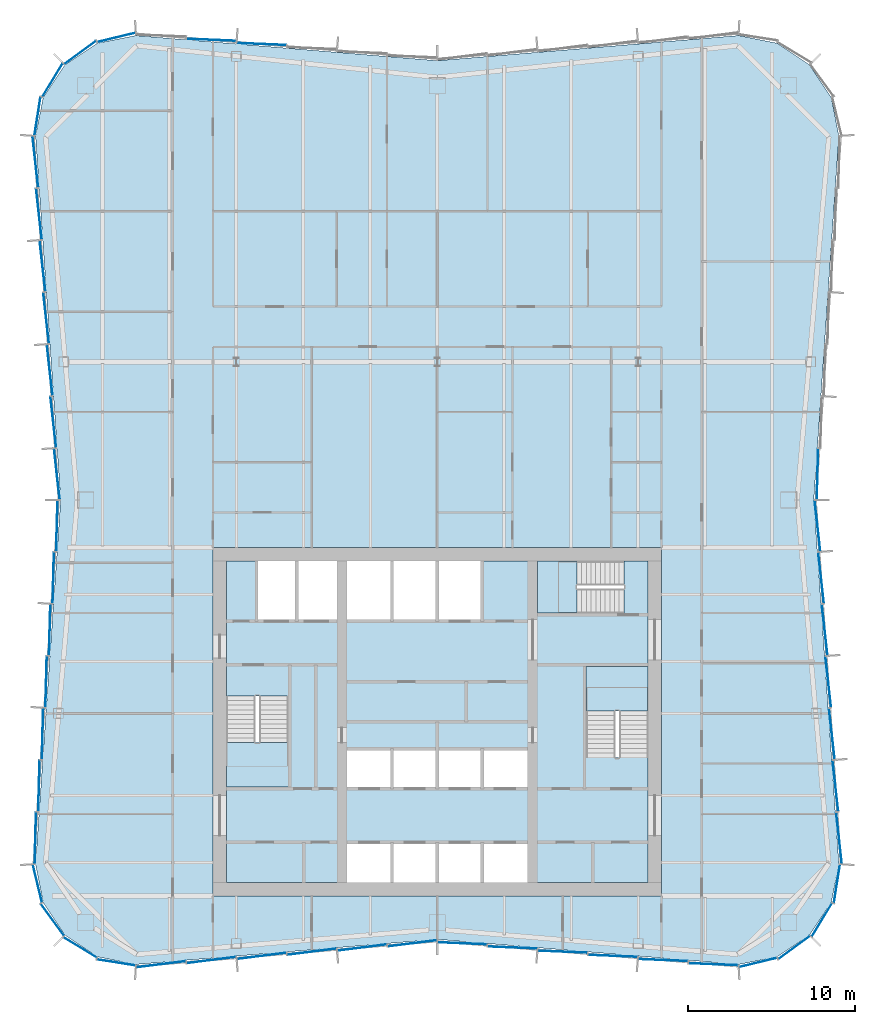
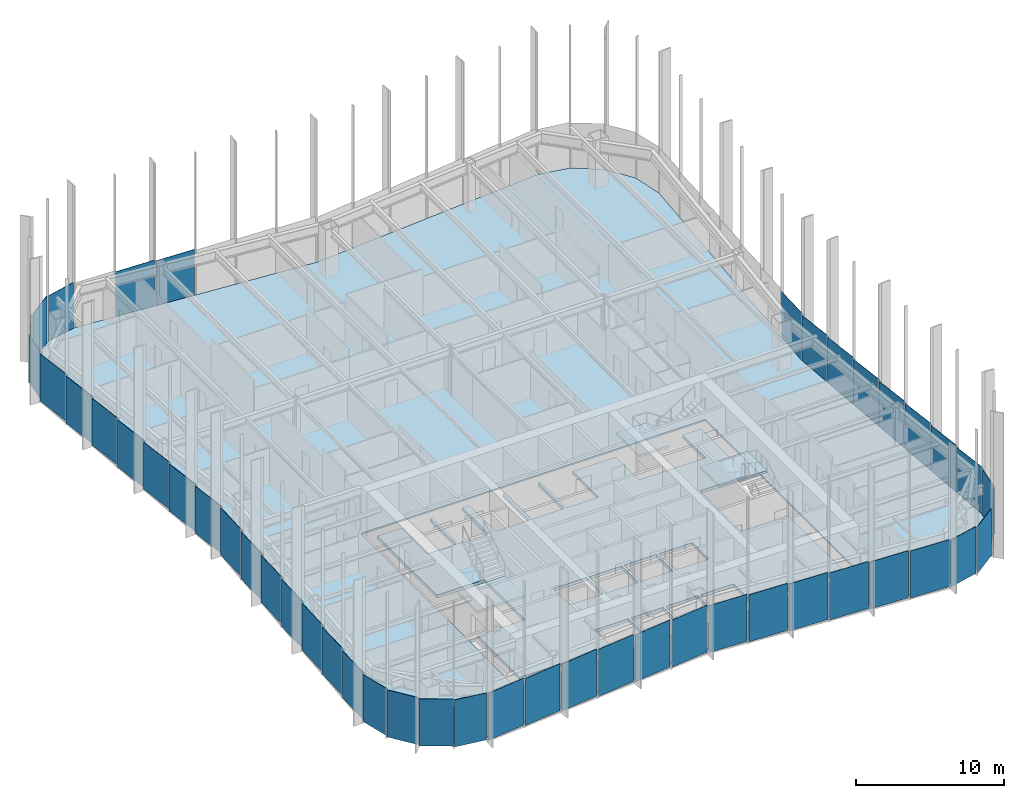
# One storey, part 9 of 15: 48 plates, 5 slabs, 10 elements without a shape of their own.
"""IFC4 building model written with IfcOpenShell, lengths in metres."""

from ifc_helpers import new_model, si_unit, direction, frame, origin, origin_2d, place, context, subcontext, project, spatial, polyline, rectangle, outline, extrude, material, layer, layer_set, type_object, element, aggregate, save


model = new_model("IFC4")

# Units and contexts
model_context = context("Model", 3, precision=1e-05, world=origin(), true_north=direction((0.0, 1.0)))
body_context = subcontext(model_context, "Body", "Model", "MODEL_VIEW")
ifc_project = project(units=[si_unit("LENGTHUNIT", "METRE"), si_unit("AREAUNIT", "SQUARE_METRE"), si_unit("VOLUMEUNIT", "CUBIC_METRE"), si_unit("PLANEANGLEUNIT", "RADIAN"), si_unit("MASSUNIT", "GRAM", prefix="KILO")], contexts=[model_context])

# Site, building, storey
site_placement = place(None, origin())
site = spatial("IfcSite", under=ifc_project, at=site_placement, CompositionType="ELEMENT")
building_placement = place(site_placement, origin())
building = spatial("IfcBuilding", under=site, at=building_placement, Name="Verdant Reach Tower", CompositionType="ELEMENT")
storey_placement = place(building_placement, frame((0.0, 0.0, 262.0)))
storey = spatial("IfcBuildingStorey", under=building, at=storey_placement, Name="L60", CompositionType="ELEMENT", Elevation=262.0)

# Stair, slab
ifc_material_1 = material(Name="Concrete C40/50", Category="concrete")
stair_type = type_object("IfcStairType", Name="CO-STAIR", PredefinedType="HALF_TURN_STAIR", material=ifc_material_1)
stair_1_placement = place(storey_placement, origin())
stair_1 = element("IfcStair", 1, at=stair_1_placement, inside=storey, type_object=stair_type, Name="L60 Exit stair 1", PredefinedType="HALF_TURN_STAIR")
ifc_layer_1 = layer(ifc_material_1, 0.199951171875)
ifc_layer_set_1 = layer_set([ifc_layer_1], Name="CO-STAIR-LANDING")
slab_type_1 = type_object("IfcSlabType", Name="CO-STAIR-LANDING", PredefinedType="LANDING", material=ifc_layer_set_1)
slab_1_placement = place(storey_placement, frame((0.0, 0.0, 1.800048828125)))
slab_1 = element("IfcSlab", 2, at=slab_1_placement, type_object=slab_type_1, Name="ST-1 landing 1", PredefinedType="LANDING", context=body_context, shape_type="SweptSolid", body=[
    extrude(outline(polyline([(-12.60009765625, 26.75), (-12.60009765625, 24.10009765625), (-8.89990234375, 24.10009765625), (-8.89990234375, 26.75), (-12.60009765625, 26.75)])), origin(), (0.0, 0.0, 1.0), 0.199951171875),
])
aggregate(stair_1, [slab_1])

stair_2_placement = place(storey_placement, origin())
stair_2 = element("IfcStair", 3, at=stair_2_placement, inside=storey, type_object=stair_type, Name="L60 Exit stair 2", PredefinedType="HALF_TURN_STAIR")
slab_2_placement = place(storey_placement, frame((0.0, 0.0, 1.800048828125)))
slab_2 = element("IfcSlab", 4, at=slab_2_placement, type_object=slab_type_1, Name="ST-2 landing 1", PredefinedType="LANDING", context=body_context, shape_type="SweptSolid", body=[
    extrude(outline(polyline([(12.60009765625, 28.64990234375), (12.60009765625, 31.300048828125), (8.89990234375, 31.300048828125), (8.89990234375, 28.64990234375), (12.60009765625, 28.64990234375)])), origin(), (0.0, 0.0, 1.0), 0.199951171875),
])
aggregate(stair_2, [slab_2])

stair_3_placement = place(storey_placement, origin())
stair_3 = element("IfcStair", 5, at=stair_3_placement, inside=storey, type_object=stair_type, Name="L60 Exit stair 3", PredefinedType="HALF_TURN_STAIR")
slab_3_placement = place(storey_placement, frame((0.0, 0.0, 1.800048828125)))
slab_3 = element("IfcSlab", 6, at=slab_3_placement, type_object=slab_type_1, Name="ST-3 landing 1", PredefinedType="LANDING", context=body_context, shape_type="SweptSolid", body=[
    extrude(outline(polyline([(8.35009765625, 37.60009765625), (6.0, 37.60009765625), (6.0, 34.5), (8.35009765625, 34.5), (8.35009765625, 37.60009765625)])), origin(), (0.0, 0.0, 1.0), 0.199951171875),
])
aggregate(stair_3, [slab_3])

# Curtain wall, plate
ifc_material_2 = material(Name="Anodised aluminium", Category="aluminium")
curtain_wall_type = type_object("IfcCurtainWallType", Name="EN-CW SYSTEM Z4", PredefinedType="NOTDEFINED", material=ifc_material_2)
curtain_wall_1_placement = place(storey_placement, origin())
curtain_wall_1 = element("IfcCurtainWall", 7, at=curtain_wall_1_placement, inside=storey, type_object=curtain_wall_type, Name="Curtain wall south-east corner, L60", PredefinedType="NOTDEFINED")
ifc_material_3 = material(Name="Tinted glass with champagne spandrel", Category="glass")
ifc_layer_2 = layer(ifc_material_3, 0.031982421875)
ifc_layer_set_2 = layer_set([ifc_layer_2], Name="EN-PANEL CHAMPAGNE")
plate_type_1 = type_object("IfcPlateType", Name="EN-PANEL CHAMPAGNE", PredefinedType="CURTAIN_PANEL", material=ifc_layer_set_2)
plate_1_placement = place(storey_placement, frame((23.87939453125, 18.326904296875, -0.221923828125), z_axis=(0.0, 0.0, 1.0), x_axis=(0.154324690427, 0.988020187003, 0.0)))
plate_1 = element("IfcPlate", 8, at=plate_1_placement, type_object=plate_type_1, Name="Glass panel south-east corner 4.1, L60", PredefinedType="CURTAIN_PANEL", context=body_context, shape_type="SweptSolid", body=[
    extrude(rectangle(XDim=2.313720703125, YDim=0.031982421875, at=origin_2d()), origin(), (0.0, 0.0, 1.0), 3.8720703125),
])

# Curtain wall, plates
curtain_wall_2_placement = place(storey_placement, origin())
curtain_wall_2 = element("IfcCurtainWall", 9, at=curtain_wall_2_placement, inside=storey, type_object=curtain_wall_type, Name="Curtain wall east, L60", PredefinedType="NOTDEFINED")
plate_2_placement = place(storey_placement, frame((23.790283203125, 24.16845703125, -0.221923828125), z_axis=(0.0, 0.0, 1.0), x_axis=(-0.110518162674, 0.993874104562, 0.0)))
plate_2 = element("IfcPlate", 10, at=plate_2_placement, type_object=plate_type_1, Name="Glass panel east face part 1 2.1, L60", PredefinedType="CURTAIN_PANEL", context=body_context, shape_type="SweptSolid", body=[
    extrude(rectangle(XDim=3.050537109375, YDim=0.031982421875, at=origin_2d()), origin(), (0.0, 0.0, 1.0), 3.8720703125),
])
plate_3_placement = place(storey_placement, frame((23.575927734375, 27.275634765625, -0.221923828125), z_axis=(0.0, 0.0, 1.0), x_axis=(-0.110518162674, 0.993874104562, 0.0)))
plate_3 = element("IfcPlate", 11, at=plate_3_placement, type_object=plate_type_1, Name="Glass panel east face part 1 3.1, L60", PredefinedType="CURTAIN_PANEL", context=body_context, shape_type="SweptSolid", body=[
    extrude(rectangle(XDim=3.050537109375, YDim=0.031982421875, at=origin_2d()), origin(), (0.0, 0.0, 1.0), 3.8720703125),
])
plate_4_placement = place(storey_placement, frame((23.36181640625, 30.3828125, -0.221923828125), z_axis=(0.0, 0.0, 1.0), x_axis=(-0.110518162674, 0.993874104562, 0.0)))
plate_4 = element("IfcPlate", 12, at=plate_4_placement, type_object=plate_type_1, Name="Glass panel east face part 1 4.1, L60", PredefinedType="CURTAIN_PANEL", context=body_context, shape_type="SweptSolid", body=[
    extrude(rectangle(XDim=3.050537109375, YDim=0.031982421875, at=origin_2d()), origin(), (0.0, 0.0, 1.0), 3.8720703125),
])

curtain_wall_3_placement = place(storey_placement, origin())
curtain_wall_3 = element("IfcCurtainWall", 13, at=curtain_wall_3_placement, inside=storey, type_object=curtain_wall_type, Name="Curtain wall north-west corner, L60", PredefinedType="NOTDEFINED")
plate_5_placement = place(storey_placement, frame((-19.172607421875, 68.87939453125, -0.221923828125), z_axis=(0.0, 0.0, 1.0), x_axis=(-0.971652337104, -0.236414330786, 0.0)))
plate_5 = element("IfcPlate", 14, at=plate_5_placement, type_object=plate_type_1, Name="Glass panel north-west corner 1.1, L60", PredefinedType="CURTAIN_PANEL", context=body_context, shape_type="SweptSolid", body=[
    extrude(rectangle(XDim=2.314453125, YDim=0.031982421875, at=origin_2d()), origin(), (0.0, 0.0, 1.0), 3.8720703125),
])
plate_6_placement = place(storey_placement, frame((-21.330322265625, 67.984375, -0.221923828125), z_axis=(0.0, 0.0, 1.0), x_axis=(-0.80745677573, -0.589926737254, 0.0)))
plate_6 = element("IfcPlate", 15, at=plate_6_placement, type_object=plate_type_1, Name="Glass panel north-west corner 2.1, L60", PredefinedType="CURTAIN_PANEL", context=body_context, shape_type="SweptSolid", body=[
    extrude(rectangle(XDim=2.32080078125, YDim=0.031982421875, at=origin_2d()), origin(), (0.0, 0.0, 1.0), 3.8720703125),
])

curtain_wall_4_placement = place(storey_placement, origin())
curtain_wall_4 = element("IfcCurtainWall", 16, at=curtain_wall_4_placement, inside=storey, type_object=curtain_wall_type, Name="Curtain wall west, L60", PredefinedType="NOTDEFINED")
plate_7_placement = place(storey_placement, frame((-22.93310546875, 45.903076171875, -0.221923828125), z_axis=(0.0, 0.0, 1.0), x_axis=(0.110518162674, -0.993874104562, 0.0)))
plate_7 = element("IfcPlate", 17, at=plate_7_placement, type_object=plate_type_1, Name="Glass panel west face part 1 6.1, L60", PredefinedType="CURTAIN_PANEL", context=body_context, shape_type="SweptSolid", body=[
    extrude(rectangle(XDim=3.050537109375, YDim=0.031982421875, at=origin_2d()), origin(), (0.0, 0.0, 1.0), 3.8720703125),
])
plate_8_placement = place(storey_placement, frame((-22.718994140625, 42.7998046875, -0.221923828125), z_axis=(0.0, 0.0, 1.0), x_axis=(0.110603065042, -0.993864659802, 0.0)))
plate_8 = element("IfcPlate", 18, at=plate_8_placement, type_object=plate_type_1, Name="Glass panel west face part 1 7.1, L60", PredefinedType="CURTAIN_PANEL", context=body_context, shape_type="SweptSolid", body=[
    extrude(rectangle(XDim=3.042724609375, YDim=0.031982421875, at=origin_2d()), origin(), (0.0, 0.0, 1.0), 3.8720703125),
])
plate_9_placement = place(storey_placement, frame((-22.718994140625, 39.7001953125, -0.221923828125), z_axis=(0.0, 0.0, 1.0), x_axis=(-0.027050713229, -0.999634062502, 0.0)))
plate_9 = element("IfcPlate", 19, at=plate_9_placement, type_object=plate_type_1, Name="Glass panel west face part 2 1.1, L60", PredefinedType="CURTAIN_PANEL", context=body_context, shape_type="SweptSolid", body=[
    extrude(rectangle(XDim=3.042724609375, YDim=0.031982421875, at=origin_2d()), origin(), (0.0, 0.0, 1.0), 3.8720703125),
])
plate_10_placement = place(storey_placement, frame((-22.93310546875, 36.596923828125, -0.221923828125), z_axis=(0.0, 0.0, 1.0), x_axis=(-0.026965318308, -0.999636369691, 0.0)))
plate_10 = element("IfcPlate", 20, at=plate_10_placement, type_object=plate_type_1, Name="Glass panel west face part 2 2.1, L60", PredefinedType="CURTAIN_PANEL", context=body_context, shape_type="SweptSolid", body=[
    extrude(rectangle(XDim=3.050537109375, YDim=0.031982421875, at=origin_2d()), origin(), (0.0, 0.0, 1.0), 3.8720703125),
])

curtain_wall_5_placement = place(storey_placement, origin())
curtain_wall_5 = element("IfcCurtainWall", 21, at=curtain_wall_5_placement, inside=storey, type_object=curtain_wall_type, Name="Curtain wall south, L60", PredefinedType="NOTDEFINED")
plate_11_placement = place(storey_placement, frame((-7.49072265625, 14.263427734375, -0.221923828125), z_axis=(0.0, 0.0, 1.0), x_axis=(0.992194034542, 0.124703639961, 0.0)))
plate_11 = element("IfcPlate", 22, at=plate_11_placement, type_object=plate_type_1, Name="Glass panel south face part 1 4.1, L60", PredefinedType="CURTAIN_PANEL", context=body_context, shape_type="SweptSolid", body=[
    extrude(rectangle(XDim=2.9462890625, YDim=0.031982421875, at=origin_2d()), origin(), (0.0, 0.0, 1.0), 3.8720703125),
])
plate_12_placement = place(storey_placement, frame((-4.49072265625, 14.513427734375, -0.221923828125), z_axis=(0.0, 0.0, 1.0), x_axis=(0.992194034542, 0.124703639961, 0.0)))
plate_12 = element("IfcPlate", 23, at=plate_12_placement, type_object=plate_type_1, Name="Glass panel south face part 1 5.1, L60", PredefinedType="CURTAIN_PANEL", context=body_context, shape_type="SweptSolid", body=[
    extrude(rectangle(XDim=2.9462890625, YDim=0.031982421875, at=origin_2d()), origin(), (0.0, 0.0, 1.0), 3.8720703125),
])
plate_13_placement = place(storey_placement, frame((13.49072265625, 13.763427734375, -0.221923828125), z_axis=(0.0, 0.0, 1.0), x_axis=(0.999149202059, -0.041241629766, 0.0)))
plate_13 = element("IfcPlate", 24, at=plate_13_placement, type_object=plate_type_1, Name="Glass panel south face part 2 5.1, L60", PredefinedType="CURTAIN_PANEL", context=body_context, shape_type="SweptSolid", body=[
    extrude(rectangle(XDim=2.9462890625, YDim=0.031982421875, at=origin_2d()), origin(), (0.0, 0.0, 1.0), 3.8720703125),
])
plate_14_placement = place(storey_placement, frame((16.49853515625, 13.51318359375, -0.221923828125), z_axis=(0.0, 0.0, 1.0), x_axis=(0.999164016711, -0.040881141246, 0.0)))
plate_14 = element("IfcPlate", 25, at=plate_14_placement, type_object=plate_type_1, Name="Glass panel south face part 2 6.1, L60", PredefinedType="CURTAIN_PANEL", context=body_context, shape_type="SweptSolid", body=[
    extrude(rectangle(XDim=2.9619140625, YDim=0.031982421875, at=origin_2d()), origin(), (0.0, 0.0, 1.0), 3.8720703125),
])

# Plate
ifc_material_4 = material(Name="Tinted glass with copper spandrel", Category="glass")
ifc_layer_3 = layer(ifc_material_4, 0.031982421875)
ifc_layer_set_3 = layer_set([ifc_layer_3], Name="EN-PANEL COPPER")
plate_type_2 = type_object("IfcPlateType", Name="EN-PANEL COPPER", PredefinedType="CURTAIN_PANEL", material=ifc_layer_set_3)
plate_15_placement = place(storey_placement, frame((23.1474609375, 33.48974609375, -0.221923828125), z_axis=(0.0, 0.0, 1.0), x_axis=(-0.110518162674, 0.993874104562, 0.0)))
plate_15 = element("IfcPlate", 26, at=plate_15_placement, type_object=plate_type_2, Name="Glass panel east face part 1 5.1, L60", PredefinedType="CURTAIN_PANEL", context=body_context, shape_type="SweptSolid", body=[
    extrude(rectangle(XDim=3.050537109375, YDim=0.031982421875, at=origin_2d()), origin(), (0.0, 0.0, 1.0), 3.8720703125),
])

plate_16_placement = place(storey_placement, frame((22.93310546875, 36.596923828125, -0.221923828125), z_axis=(0.0, 0.0, 1.0), x_axis=(-0.110518162674, 0.993874104562, 0.0)))
plate_16 = element("IfcPlate", 27, at=plate_16_placement, type_object=plate_type_2, Name="Glass panel east face part 1 6.1, L60", PredefinedType="CURTAIN_PANEL", context=body_context, shape_type="SweptSolid", body=[
    extrude(rectangle(XDim=3.050537109375, YDim=0.031982421875, at=origin_2d()), origin(), (0.0, 0.0, 1.0), 3.8720703125),
])

# Curtain wall, plates
curtain_wall_6_placement = place(storey_placement, origin())
curtain_wall_6 = element("IfcCurtainWall", 28, at=curtain_wall_6_placement, inside=storey, type_object=curtain_wall_type, Name="Curtain wall north, L60", PredefinedType="NOTDEFINED")
plate_17_placement = place(storey_placement, frame((-10.49072265625, 68.486572265625, -0.221923828125), z_axis=(0.0, 0.0, 1.0), x_axis=(-0.999149202059, 0.041241629766, 0.0)))
plate_17 = element("IfcPlate", 29, at=plate_17_placement, type_object=plate_type_2, Name="Glass panel north face part 2 4.1, L60", PredefinedType="CURTAIN_PANEL", context=body_context, shape_type="SweptSolid", body=[
    extrude(rectangle(XDim=2.9462890625, YDim=0.031982421875, at=origin_2d()), origin(), (0.0, 0.0, 1.0), 3.8720703125),
])
plate_18_placement = place(storey_placement, frame((-13.49072265625, 68.736572265625, -0.221923828125), z_axis=(0.0, 0.0, 1.0), x_axis=(-0.999149202059, 0.041241629766, 0.0)))
plate_18 = element("IfcPlate", 30, at=plate_18_placement, type_object=plate_type_2, Name="Glass panel north face part 2 5.1, L60", PredefinedType="CURTAIN_PANEL", context=body_context, shape_type="SweptSolid", body=[
    extrude(rectangle(XDim=2.9462890625, YDim=0.031982421875, at=origin_2d()), origin(), (0.0, 0.0, 1.0), 3.8720703125),
])
aggregate(curtain_wall_6, [plate_17, plate_18])

# Plate
plate_19_placement = place(storey_placement, frame((-22.984375, 66.330322265625, -0.221923828125), z_axis=(0.0, 0.0, 1.0), x_axis=(-0.520291539577, -0.853988708265, 0.0)))
plate_19 = element("IfcPlate", 31, at=plate_19_placement, type_object=plate_type_2, Name="Glass panel north-west corner 3.1, L60", PredefinedType="CURTAIN_PANEL", context=body_context, shape_type="SweptSolid", body=[
    extrude(rectangle(XDim=2.32080078125, YDim=0.031982421875, at=origin_2d()), origin(), (0.0, 0.0, 1.0), 3.8720703125),
])

plate_20_placement = place(storey_placement, frame((-23.87939453125, 64.173095703125, -0.221923828125), z_axis=(0.0, 0.0, 1.0), x_axis=(-0.154324690427, -0.988020187003, 0.0)))
plate_20 = element("IfcPlate", 32, at=plate_20_placement, type_object=plate_type_2, Name="Glass panel north-west corner 4.1, L60", PredefinedType="CURTAIN_PANEL", context=body_context, shape_type="SweptSolid", body=[
    extrude(rectangle(XDim=2.313720703125, YDim=0.031982421875, at=origin_2d()), origin(), (0.0, 0.0, 1.0), 3.8720703125),
])

aggregate(curtain_wall_3, [plate_5, plate_6, plate_19, plate_20])

plate_21_placement = place(storey_placement, frame((-24.004638671875, 61.446044921875, -0.221923828125), z_axis=(0.0, 0.0, 1.0), x_axis=(0.110205903836, -0.993908777886, 0.0)))
plate_21 = element("IfcPlate", 33, at=plate_21_placement, type_object=plate_type_2, Name="Glass panel west face part 1 1.1, L60", PredefinedType="CURTAIN_PANEL", context=body_context, shape_type="SweptSolid", body=[
    extrude(rectangle(XDim=3.0654296875, YDim=0.031982421875, at=origin_2d()), origin(), (0.0, 0.0, 1.0), 3.8720703125),
])

plate_22_placement = place(storey_placement, frame((-23.790283203125, 58.33154296875, -0.221923828125), z_axis=(0.0, 0.0, 1.0), x_axis=(0.110518162674, -0.993874104562, 0.0)))
plate_22 = element("IfcPlate", 34, at=plate_22_placement, type_object=plate_type_2, Name="Glass panel west face part 1 2.1, L60", PredefinedType="CURTAIN_PANEL", context=body_context, shape_type="SweptSolid", body=[
    extrude(rectangle(XDim=3.050537109375, YDim=0.031982421875, at=origin_2d()), origin(), (0.0, 0.0, 1.0), 3.8720703125),
])

plate_23_placement = place(storey_placement, frame((-23.575927734375, 55.224365234375, -0.221923828125), z_axis=(0.0, 0.0, 1.0), x_axis=(0.110518162674, -0.993874104562, 0.0)))
plate_23 = element("IfcPlate", 35, at=plate_23_placement, type_object=plate_type_2, Name="Glass panel west face part 1 3.1, L60", PredefinedType="CURTAIN_PANEL", context=body_context, shape_type="SweptSolid", body=[
    extrude(rectangle(XDim=3.050537109375, YDim=0.031982421875, at=origin_2d()), origin(), (0.0, 0.0, 1.0), 3.8720703125),
])

plate_24_placement = place(storey_placement, frame((-23.1474609375, 33.48974609375, -0.221923828125), z_axis=(0.0, 0.0, 1.0), x_axis=(-0.026965318308, -0.999636369691, 0.0)))
plate_24 = element("IfcPlate", 36, at=plate_24_placement, type_object=plate_type_2, Name="Glass panel west face part 2 3.1, L60", PredefinedType="CURTAIN_PANEL", context=body_context, shape_type="SweptSolid", body=[
    extrude(rectangle(XDim=3.050537109375, YDim=0.031982421875, at=origin_2d()), origin(), (0.0, 0.0, 1.0), 3.8720703125),
])

plate_25_placement = place(storey_placement, frame((-23.36181640625, 30.3828125, -0.221923828125), z_axis=(0.0, 0.0, 1.0), x_axis=(-0.026965318308, -0.999636369691, 0.0)))
plate_25 = element("IfcPlate", 37, at=plate_25_placement, type_object=plate_type_2, Name="Glass panel west face part 2 4.1, L60", PredefinedType="CURTAIN_PANEL", context=body_context, shape_type="SweptSolid", body=[
    extrude(rectangle(XDim=3.050537109375, YDim=0.031982421875, at=origin_2d()), origin(), (0.0, 0.0, 1.0), 3.8720703125),
])

# Curtain wall, plates
curtain_wall_7_placement = place(storey_placement, origin())
curtain_wall_7 = element("IfcCurtainWall", 38, at=curtain_wall_7_placement, inside=storey, type_object=curtain_wall_type, Name="Curtain wall south-west corner, L60", PredefinedType="NOTDEFINED")
plate_26_placement = place(storey_placement, frame((-23.87939453125, 18.326904296875, -0.221923828125), z_axis=(0.0, 0.0, 1.0), x_axis=(0.236458850433, -0.971641503875, 0.0)))
plate_26 = element("IfcPlate", 39, at=plate_26_placement, type_object=plate_type_2, Name="Glass panel south-west corner 1.1, L60", PredefinedType="CURTAIN_PANEL", context=body_context, shape_type="SweptSolid", body=[
    extrude(rectangle(XDim=2.313720703125, YDim=0.031982421875, at=origin_2d()), origin(), (0.0, 0.0, 1.0), 3.8720703125),
])
plate_27_placement = place(storey_placement, frame((-22.984375, 16.169677734375, -0.221923828125), z_axis=(0.0, 0.0, 1.0), x_axis=(0.589926737254, -0.80745677573, 0.0)))
plate_27 = element("IfcPlate", 40, at=plate_27_placement, type_object=plate_type_2, Name="Glass panel south-west corner 2.1, L60", PredefinedType="CURTAIN_PANEL", context=body_context, shape_type="SweptSolid", body=[
    extrude(rectangle(XDim=2.32080078125, YDim=0.031982421875, at=origin_2d()), origin(), (0.0, 0.0, 1.0), 3.8720703125),
])
plate_28_placement = place(storey_placement, frame((-21.330322265625, 14.515625, -0.221923828125), z_axis=(0.0, 0.0, 1.0), x_axis=(0.853988708265, -0.520291539577, 0.0)))
plate_28 = element("IfcPlate", 41, at=plate_28_placement, type_object=plate_type_2, Name="Glass panel south-west corner 3.1, L60", PredefinedType="CURTAIN_PANEL", context=body_context, shape_type="SweptSolid", body=[
    extrude(rectangle(XDim=2.32080078125, YDim=0.031982421875, at=origin_2d()), origin(), (0.0, 0.0, 1.0), 3.8720703125),
])

# Plate
plate_29_placement = place(storey_placement, frame((-1.495361328125, 14.76318359375, -0.221923828125), z_axis=(0.0, 0.0, 1.0), x_axis=(0.992177950603, 0.124831543836, 0.0)))
plate_29 = element("IfcPlate", 42, at=plate_29_placement, type_object=plate_type_2, Name="Glass panel south face part 1 6.1, L60", PredefinedType="CURTAIN_PANEL", context=body_context, shape_type="SweptSolid", body=[
    extrude(rectangle(XDim=2.93701171875, YDim=0.031982421875, at=origin_2d()), origin(), (0.0, 0.0, 1.0), 3.8720703125),
])

plate_30_placement = place(storey_placement, frame((1.495361328125, 14.76318359375, -0.221923828125), z_axis=(0.0, 0.0, 1.0), x_axis=(0.999143877249, -0.041370430933, 0.0)))
plate_30 = element("IfcPlate", 43, at=plate_30_placement, type_object=plate_type_2, Name="Glass panel south face part 2 1.1, L60", PredefinedType="CURTAIN_PANEL", context=body_context, shape_type="SweptSolid", body=[
    extrude(rectangle(XDim=2.93701171875, YDim=0.031982421875, at=origin_2d()), origin(), (0.0, 0.0, 1.0), 3.8720703125),
])

plate_31_placement = place(storey_placement, frame((4.49072265625, 14.513427734375, -0.221923828125), z_axis=(0.0, 0.0, 1.0), x_axis=(0.999149202059, -0.041241629766, 0.0)))
plate_31 = element("IfcPlate", 44, at=plate_31_placement, type_object=plate_type_2, Name="Glass panel south face part 2 2.1, L60", PredefinedType="CURTAIN_PANEL", context=body_context, shape_type="SweptSolid", body=[
    extrude(rectangle(XDim=2.9462890625, YDim=0.031982421875, at=origin_2d()), origin(), (0.0, 0.0, 1.0), 3.8720703125),
])

ifc_material_5 = material(Name="Tinted glass with dark bronze spandrel", Category="glass")
ifc_layer_4 = layer(ifc_material_5, 0.031982421875)
ifc_layer_set_4 = layer_set([ifc_layer_4], Name="EN-PANEL DARK")
plate_type_3 = type_object("IfcPlateType", Name="EN-PANEL DARK", PredefinedType="CURTAIN_PANEL", material=ifc_layer_set_4)
plate_32_placement = place(storey_placement, frame((19.172607421875, 13.62060546875, -0.221923828125), z_axis=(0.0, 0.0, 1.0), x_axis=(0.971652337104, 0.236414330786, 0.0)))
plate_32 = element("IfcPlate", 45, at=plate_32_placement, type_object=plate_type_3, Name="Glass panel south-east corner 1.1, L60", PredefinedType="CURTAIN_PANEL", context=body_context, shape_type="SweptSolid", body=[
    extrude(rectangle(XDim=2.314453125, YDim=0.031982421875, at=origin_2d()), origin(), (0.0, 0.0, 1.0), 3.8720703125),
])

plate_33_placement = place(storey_placement, frame((21.330322265625, 14.515625, -0.221923828125), z_axis=(0.0, 0.0, 1.0), x_axis=(0.80745677573, 0.589926737254, 0.0)))
plate_33 = element("IfcPlate", 46, at=plate_33_placement, type_object=plate_type_3, Name="Glass panel south-east corner 2.1, L60", PredefinedType="CURTAIN_PANEL", context=body_context, shape_type="SweptSolid", body=[
    extrude(rectangle(XDim=2.32080078125, YDim=0.031982421875, at=origin_2d()), origin(), (0.0, 0.0, 1.0), 3.8720703125),
])

plate_34_placement = place(storey_placement, frame((22.984375, 16.169677734375, -0.221923828125), z_axis=(0.0, 0.0, 1.0), x_axis=(0.520291539577, 0.853988708265, 0.0)))
plate_34 = element("IfcPlate", 47, at=plate_34_placement, type_object=plate_type_3, Name="Glass panel south-east corner 3.1, L60", PredefinedType="CURTAIN_PANEL", context=body_context, shape_type="SweptSolid", body=[
    extrude(rectangle(XDim=2.32080078125, YDim=0.031982421875, at=origin_2d()), origin(), (0.0, 0.0, 1.0), 3.8720703125),
])

aggregate(curtain_wall_1, [plate_32, plate_33, plate_34, plate_1])

plate_35_placement = place(storey_placement, frame((24.004638671875, 21.053955078125, -0.221923828125), z_axis=(0.0, 0.0, 1.0), x_axis=(-0.110205903836, 0.993908777886, 0.0)))
plate_35 = element("IfcPlate", 48, at=plate_35_placement, type_object=plate_type_3, Name="Glass panel east face part 1 1.1, L60", PredefinedType="CURTAIN_PANEL", context=body_context, shape_type="SweptSolid", body=[
    extrude(rectangle(XDim=3.0654296875, YDim=0.031982421875, at=origin_2d()), origin(), (0.0, 0.0, 1.0), 3.8720703125),
])

plate_36_placement = place(storey_placement, frame((22.718994140625, 39.7001953125, -0.221923828125), z_axis=(0.0, 0.0, 1.0), x_axis=(-0.110603065042, 0.993864659802, 0.0)))
plate_36 = element("IfcPlate", 49, at=plate_36_placement, type_object=plate_type_3, Name="Glass panel east face part 1 7.1, L60", PredefinedType="CURTAIN_PANEL", context=body_context, shape_type="SweptSolid", body=[
    extrude(rectangle(XDim=3.042724609375, YDim=0.031982421875, at=origin_2d()), origin(), (0.0, 0.0, 1.0), 3.8720703125),
])

plate_37_placement = place(storey_placement, frame((22.718994140625, 42.7998046875, -0.221923828125), z_axis=(0.0, 0.0, 1.0), x_axis=(0.027050713229, 0.999634062502, 0.0)))
plate_37 = element("IfcPlate", 50, at=plate_37_placement, type_object=plate_type_3, Name="Glass panel east face part 2 1.1, L60", PredefinedType="CURTAIN_PANEL", context=body_context, shape_type="SweptSolid", body=[
    extrude(rectangle(XDim=3.042724609375, YDim=0.031982421875, at=origin_2d()), origin(), (0.0, 0.0, 1.0), 3.8720703125),
])

aggregate(curtain_wall_2, [plate_35, plate_2, plate_3, plate_4, plate_15, plate_16, plate_36, plate_37])

plate_38_placement = place(storey_placement, frame((-23.36181640625, 52.1171875, -0.221923828125), z_axis=(0.0, 0.0, 1.0), x_axis=(0.110518162674, -0.993874104562, 0.0)))
plate_38 = element("IfcPlate", 51, at=plate_38_placement, type_object=plate_type_3, Name="Glass panel west face part 1 4.1, L60", PredefinedType="CURTAIN_PANEL", context=body_context, shape_type="SweptSolid", body=[
    extrude(rectangle(XDim=3.050537109375, YDim=0.031982421875, at=origin_2d()), origin(), (0.0, 0.0, 1.0), 3.8720703125),
])

plate_39_placement = place(storey_placement, frame((-23.1474609375, 49.01025390625, -0.221923828125), z_axis=(0.0, 0.0, 1.0), x_axis=(0.110518162674, -0.993874104562, 0.0)))
plate_39 = element("IfcPlate", 52, at=plate_39_placement, type_object=plate_type_3, Name="Glass panel west face part 1 5.1, L60", PredefinedType="CURTAIN_PANEL", context=body_context, shape_type="SweptSolid", body=[
    extrude(rectangle(XDim=3.050537109375, YDim=0.031982421875, at=origin_2d()), origin(), (0.0, 0.0, 1.0), 3.8720703125),
])

plate_40_placement = place(storey_placement, frame((-23.575927734375, 27.275634765625, -0.221923828125), z_axis=(0.0, 0.0, 1.0), x_axis=(-0.026965318308, -0.999636369691, 0.0)))
plate_40 = element("IfcPlate", 53, at=plate_40_placement, type_object=plate_type_3, Name="Glass panel west face part 2 5.1, L60", PredefinedType="CURTAIN_PANEL", context=body_context, shape_type="SweptSolid", body=[
    extrude(rectangle(XDim=3.050537109375, YDim=0.031982421875, at=origin_2d()), origin(), (0.0, 0.0, 1.0), 3.8720703125),
])

plate_41_placement = place(storey_placement, frame((-23.790283203125, 24.16845703125, -0.221923828125), z_axis=(0.0, 0.0, 1.0), x_axis=(-0.026965318308, -0.999636369691, 0.0)))
plate_41 = element("IfcPlate", 54, at=plate_41_placement, type_object=plate_type_3, Name="Glass panel west face part 2 6.1, L60", PredefinedType="CURTAIN_PANEL", context=body_context, shape_type="SweptSolid", body=[
    extrude(rectangle(XDim=3.050537109375, YDim=0.031982421875, at=origin_2d()), origin(), (0.0, 0.0, 1.0), 3.8720703125),
])

plate_42_placement = place(storey_placement, frame((-24.004638671875, 21.053955078125, -0.221923828125), z_axis=(0.0, 0.0, 1.0), x_axis=(-0.026651253217, -0.999644792265, 0.0)))
plate_42 = element("IfcPlate", 55, at=plate_42_placement, type_object=plate_type_3, Name="Glass panel west face part 2 7.1, L60", PredefinedType="CURTAIN_PANEL", context=body_context, shape_type="SweptSolid", body=[
    extrude(rectangle(XDim=3.0654296875, YDim=0.031982421875, at=origin_2d()), origin(), (0.0, 0.0, 1.0), 3.8720703125),
])

aggregate(curtain_wall_4, [plate_21, plate_22, plate_23, plate_38, plate_39, plate_7, plate_8, plate_9, plate_10, plate_24, plate_25, plate_40, plate_41, plate_42])

plate_43_placement = place(storey_placement, frame((-19.172607421875, 13.62060546875, -0.221923828125), z_axis=(0.0, 0.0, 1.0), x_axis=(0.98802725693, -0.154279420415, 0.0)))
plate_43 = element("IfcPlate", 56, at=plate_43_placement, type_object=plate_type_3, Name="Glass panel south-west corner 4.1, L60", PredefinedType="CURTAIN_PANEL", context=body_context, shape_type="SweptSolid", body=[
    extrude(rectangle(XDim=2.314453125, YDim=0.031982421875, at=origin_2d()), origin(), (0.0, 0.0, 1.0), 3.8720703125),
])

aggregate(curtain_wall_7, [plate_26, plate_27, plate_28, plate_43])

plate_44_placement = place(storey_placement, frame((-16.49853515625, 13.51318359375, -0.221923828125), z_axis=(0.0, 0.0, 1.0), x_axis=(0.992238962139, 0.124345655383, 0.0)))
plate_44 = element("IfcPlate", 57, at=plate_44_placement, type_object=plate_type_3, Name="Glass panel south face part 1 1.1, L60", PredefinedType="CURTAIN_PANEL", context=body_context, shape_type="SweptSolid", body=[
    extrude(rectangle(XDim=2.9619140625, YDim=0.031982421875, at=origin_2d()), origin(), (0.0, 0.0, 1.0), 3.8720703125),
])

plate_45_placement = place(storey_placement, frame((-13.49072265625, 13.763427734375, -0.221923828125), z_axis=(0.0, 0.0, 1.0), x_axis=(0.992194034542, 0.124703639961, 0.0)))
plate_45 = element("IfcPlate", 58, at=plate_45_placement, type_object=plate_type_3, Name="Glass panel south face part 1 2.1, L60", PredefinedType="CURTAIN_PANEL", context=body_context, shape_type="SweptSolid", body=[
    extrude(rectangle(XDim=2.9462890625, YDim=0.031982421875, at=origin_2d()), origin(), (0.0, 0.0, 1.0), 3.8720703125),
])

plate_46_placement = place(storey_placement, frame((-10.49072265625, 14.013427734375, -0.221923828125), z_axis=(0.0, 0.0, 1.0), x_axis=(0.992194034542, 0.124703639961, 0.0)))
plate_46 = element("IfcPlate", 59, at=plate_46_placement, type_object=plate_type_3, Name="Glass panel south face part 1 3.1, L60", PredefinedType="CURTAIN_PANEL", context=body_context, shape_type="SweptSolid", body=[
    extrude(rectangle(XDim=2.9462890625, YDim=0.031982421875, at=origin_2d()), origin(), (0.0, 0.0, 1.0), 3.8720703125),
])

plate_47_placement = place(storey_placement, frame((7.49072265625, 14.263427734375, -0.221923828125), z_axis=(0.0, 0.0, 1.0), x_axis=(0.999149202059, -0.041241629766, 0.0)))
plate_47 = element("IfcPlate", 60, at=plate_47_placement, type_object=plate_type_3, Name="Glass panel south face part 2 3.1, L60", PredefinedType="CURTAIN_PANEL", context=body_context, shape_type="SweptSolid", body=[
    extrude(rectangle(XDim=2.9462890625, YDim=0.031982421875, at=origin_2d()), origin(), (0.0, 0.0, 1.0), 3.8720703125),
])

plate_48_placement = place(storey_placement, frame((10.49072265625, 14.013427734375, -0.221923828125), z_axis=(0.0, 0.0, 1.0), x_axis=(0.999149202059, -0.041241629766, 0.0)))
plate_48 = element("IfcPlate", 61, at=plate_48_placement, type_object=plate_type_3, Name="Glass panel south face part 2 4.1, L60", PredefinedType="CURTAIN_PANEL", context=body_context, shape_type="SweptSolid", body=[
    extrude(rectangle(XDim=2.9462890625, YDim=0.031982421875, at=origin_2d()), origin(), (0.0, 0.0, 1.0), 3.8720703125),
])

aggregate(curtain_wall_5, [plate_44, plate_45, plate_46, plate_11, plate_12, plate_29, plate_30, plate_31, plate_47, plate_48, plate_13, plate_14])

# Slabs
ifc_material_6 = material(Name="Concrete C35/45", Category="concrete")
ifc_layer_5 = layer(ifc_material_6, 0.1298828125)
ifc_layer_set_5 = layer_set([ifc_layer_5], Name="ST-SLAB-130")
slab_type_2 = type_object("IfcSlabType", Name="ST-SLAB-130", PredefinedType="FLOOR", material=ifc_layer_set_5)
slab_4_placement = place(storey_placement, frame((0.0, 0.0, -0.1298828125)))
element("IfcSlab", 62, at=slab_4_placement, inside=storey, type_object=slab_type_2, Name="Floor slab L60", PredefinedType="FLOOR", context=body_context, shape_type="SweptSolid", body=[
    extrude(outline(polyline([(0.0, 15.0), (-18.0, 13.5), (-20.296142578125, 13.956787109375), (-22.24267578125, 15.25732421875), (-23.543212890625, 17.203857421875), (-24.0, 19.5), (-22.5, 41.25), (-24.0, 63.0), (-23.543212890625, 65.296142578125), (-22.24267578125, 67.24267578125), (-20.296142578125, 68.543212890625), (-18.0, 69.0), (0.0, 67.5), (18.0, 69.0), (20.296142578125, 68.543212890625), (22.24267578125, 67.24267578125), (23.543212890625, 65.296142578125), (24.0, 63.0), (22.5, 41.25), (24.0, 19.5), (23.543212890625, 17.203857421875), (22.24267578125, 15.25732421875), (20.296142578125, 13.956787109375), (18.0, 13.5), (0.0, 15.0)]), holes=[polyline([(13.39990234375, 38.39990234375), (-13.39990234375, 38.39990234375), (-13.39990234375, 17.60009765625), (13.39990234375, 17.60009765625), (13.39990234375, 38.39990234375)])]), origin(), (0.0, 0.0, 1.0), 0.1298828125),
])
ifc_layer_6 = layer(ifc_material_6, 0.25)
ifc_layer_set_6 = layer_set([ifc_layer_6], Name="ST-SLAB-250")
slab_type_3 = type_object("IfcSlabType", Name="ST-SLAB-250", PredefinedType="FLOOR", material=ifc_layer_set_6)
slab_5_placement = place(storey_placement, frame((0.0, 0.0, -0.25)))
element("IfcSlab", 63, at=slab_5_placement, inside=storey, type_object=slab_type_3, Name="Core floor slab L60", PredefinedType="FLOOR", context=body_context, shape_type="SweptSolid", body=[
    extrude(outline(polyline([(12.60009765625, 18.39990234375), (5.39990234375, 18.39990234375), (5.39990234375, 20.699951171875), (2.800048828125, 20.699951171875), (2.800048828125, 18.39990234375), (2.60009765625, 18.39990234375), (2.60009765625, 20.699951171875), (0.10009765625, 20.699951171875), (0.10009765625, 18.39990234375), (-0.10009765625, 18.39990234375), (-0.10009765625, 20.699951171875), (-2.60009765625, 20.699951171875), (-2.60009765625, 18.39990234375), (-2.800048828125, 18.39990234375), (-2.800048828125, 20.699951171875), (-5.39990234375, 20.699951171875), (-5.39990234375, 18.39990234375), (-12.60009765625, 18.39990234375), (-12.60009765625, 24.10009765625), (-8.89990234375, 24.10009765625), (-8.89990234375, 29.548095703125), (-12.60009765625, 29.548095703125), (-12.60009765625, 37.60009765625), (-10.699951171875, 37.60009765625), (-10.699951171875, 34.10009765625), (-8.5, 34.10009765625), (-8.5, 37.60009765625), (-8.300048828125, 37.60009765625), (-8.300048828125, 34.10009765625), (-6.0, 34.10009765625), (-6.0, 37.60009765625), (-5.39990234375, 37.60009765625), (-5.39990234375, 34.10009765625), (-2.800048828125, 34.10009765625), (-2.800048828125, 37.60009765625), (-2.60009765625, 37.60009765625), (-2.60009765625, 34.10009765625), (-0.10009765625, 34.10009765625), (-0.10009765625, 37.60009765625), (0.10009765625, 37.60009765625), (0.10009765625, 34.10009765625), (2.60009765625, 34.10009765625), (2.60009765625, 37.60009765625), (6.0, 37.60009765625), (6.0, 34.5), (11.14794921875, 34.5), (11.14794921875, 37.60009765625), (12.60009765625, 37.60009765625), (12.60009765625, 31.300048828125), (8.89990234375, 31.300048828125), (8.89990234375, 25.85205078125), (12.60009765625, 25.85205078125), (12.60009765625, 18.39990234375)]), holes=[polyline([(-2.800048828125, 24.10009765625), (-2.800048828125, 26.300048828125), (-5.39990234375, 26.300048828125), (-5.39990234375, 24.10009765625), (-2.800048828125, 24.10009765625)]), polyline([(-0.10009765625, 24.10009765625), (-0.10009765625, 26.300048828125), (-2.60009765625, 26.300048828125), (-2.60009765625, 24.10009765625), (-0.10009765625, 24.10009765625)]), polyline([(2.60009765625, 24.10009765625), (2.60009765625, 26.300048828125), (0.10009765625, 26.300048828125), (0.10009765625, 24.10009765625), (2.60009765625, 24.10009765625)]), polyline([(5.39990234375, 24.10009765625), (5.39990234375, 26.300048828125), (2.800048828125, 26.300048828125), (2.800048828125, 24.10009765625), (5.39990234375, 24.10009765625)])]), origin(), (0.0, 0.0, 1.0), 0.25),
])

save(model, "model.ifc")
